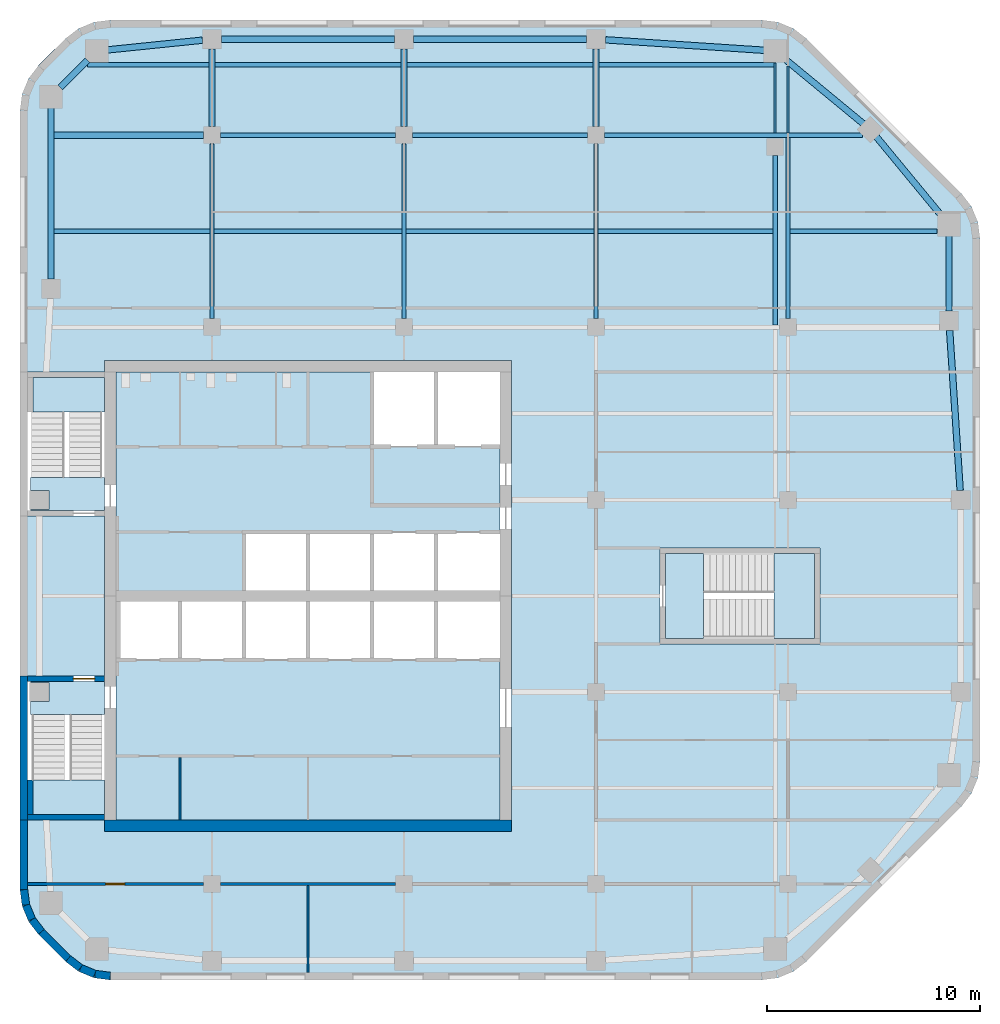
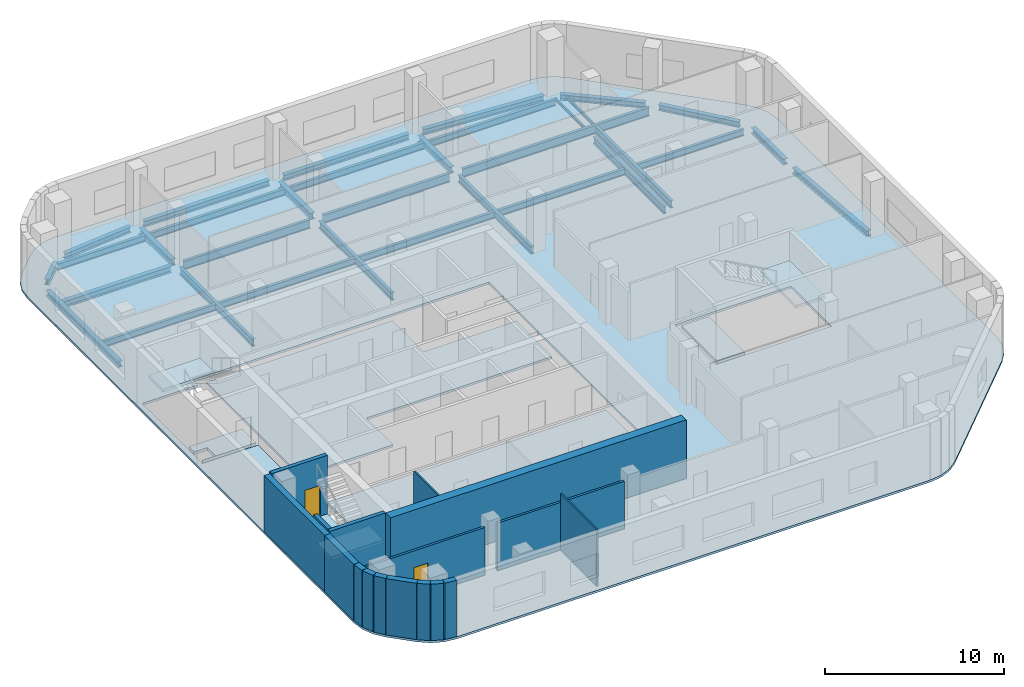
# One storey, part 2 of 8: 33 beams, 17 walls, 9 slabs, 2 doors, 2 openings, 3 elements without a shape of their own.
"""IFC4 building model written with IfcOpenShell, lengths in metres."""

from ifc_helpers import new_model, si_unit, direction, frame, frame_2d, origin, origin_2d, place, context, subcontext, project, spatial, polyline, rectangle, i_section, outline, extrude, material, layer, layer_set, material_profile, profile_set, type_object, element, fill, aggregate, save


model = new_model("IFC4")

# Units and contexts
model_context = context("Model", 3, precision=1e-05, world=origin(), true_north=direction((0.0, 1.0)))
body_context = subcontext(model_context, "Body", "Model", "MODEL_VIEW")
ifc_project = project(units=[si_unit("LENGTHUNIT", "METRE"), si_unit("AREAUNIT", "SQUARE_METRE"), si_unit("VOLUMEUNIT", "CUBIC_METRE"), si_unit("PLANEANGLEUNIT", "RADIAN"), si_unit("MASSUNIT", "GRAM", prefix="KILO")], contexts=[model_context])

# Site, building, storey
site_placement = place(None, origin())
site = spatial("IfcSite", under=ifc_project, at=site_placement, CompositionType="ELEMENT")
building_placement = place(site_placement, origin())
building = spatial("IfcBuilding", under=site, at=building_placement, Name="Cinnabar Reach Civic Tower", CompositionType="ELEMENT")
storey_placement = place(building_placement, frame((0.0, 0.0, 202.0)))
storey = spatial("IfcBuildingStorey", under=building, at=storey_placement, Name="L48", CompositionType="ELEMENT", Elevation=202.0)

# Beams
ifc_material_1 = material(Name="Steel Q355B", Category="steel")
ifc_material_profile_1 = material_profile(ifc_material_1, i_section(OverallWidth=0.3, OverallDepth=0.39, WebThickness=0.01, FlangeThickness=0.016, FilletRadius=0.013, at=origin_2d()), Name="HM390x300x10x16")
ifc_profile_set_1 = profile_set([ifc_material_profile_1], Name="Steel Q355B")
beam_type_1 = type_object("IfcBeamType", Name="HM390x300x10x16 beam R 180", PredefinedType="BEAM", material=ifc_profile_set_1)
beam_1_placement = place(storey_placement, frame((44.0702, 36.452, -0.345), z_axis=(-0.065709484267, 0.997838796438, 0.0), x_axis=(-0.997838796438, -0.065709484267, 0.0)))
element("IfcBeam", 1, at=beam_1_placement, inside=storey, type_object=beam_type_1, Name="Edge beam T1 L48 9", PredefinedType="BEAM", context=body_context, shape_type="SweptSolid", body=[
    extrude(i_section(OverallWidth=0.3, OverallDepth=0.39, WebThickness=0.01, FlangeThickness=0.016, FilletRadius=0.013, at=origin_2d()), origin(), (0.0, 0.0, 1.0), 7.5103),
])
beam_2_placement = place(storey_placement, frame((43.5469, 44.8501, -0.345), z_axis=(0.0, 1.0, 0.0), x_axis=(-1.0, 0.0, 0.0)))
element("IfcBeam", 2, at=beam_2_placement, inside=storey, type_object=beam_type_1, Name="Edge beam T1 L48 10", PredefinedType="BEAM", context=body_context, shape_type="SweptSolid", body=[
    extrude(i_section(OverallWidth=0.3, OverallDepth=0.39, WebThickness=0.01, FlangeThickness=0.016, FilletRadius=0.013, at=origin_2d()), origin(), (0.0, 0.0, 1.0), 3.616),
])
for number, where, z_axis, x_axis, name in (
    (3, (43.1906, 49.3301, -0.345), (-0.63630880182, 0.771434448755, 0.0), (-0.771434448755, -0.63630880182, 0.0), "Edge beam T1 L48 11"),
    (4, (39.5598, 53.6142, -0.345), (-0.771434448755, 0.63630880182, 0.0), (-0.63630880182, -0.771434448755, 0.0), "Edge beam T1 L48 12"),
):
    element("IfcBeam", number, at=place(storey_placement, frame(where, z_axis=z_axis, x_axis=x_axis)), inside=storey, type_object=beam_type_1, Name=name, PredefinedType="BEAM", context=body_context, shape_type="SweptSolid", body=[
        extrude(i_section(OverallWidth=0.3, OverallDepth=0.39, WebThickness=0.01, FlangeThickness=0.016, FilletRadius=0.013, at=origin_2d()), origin(), (0.0, 0.0, 1.0), 4.8348),
    ])
beam_3_placement = place(storey_placement, frame((34.9661, 57.0754, -0.345), z_axis=(-0.99783894477, 0.065707231721, 0.0), x_axis=(-0.065707231721, -0.99783894477, 0.0)))
element("IfcBeam", 5, at=beam_3_placement, inside=storey, type_object=beam_type_1, Name="Edge beam T1 L48 13", PredefinedType="BEAM", context=body_context, shape_type="SweptSolid", body=[
    extrude(i_section(OverallWidth=0.3, OverallDepth=0.39, WebThickness=0.01, FlangeThickness=0.016, FilletRadius=0.013, at=origin_2d()), origin(), (0.0, 0.0, 1.0), 7.5304),
])
for number, where, z_axis, x_axis, name in (
    (6, (26.548, 57.6, -0.345), (-1.0, 0.0, 0.0), (0.0, -1.0, 0.0), "Edge beam T1 L48 14"),
    (7, (17.548, 57.6, -0.345), (-1.0, 0.0, 0.0), (0.0, -1.0, 0.0), "Edge beam T1 L48 15"),
):
    element("IfcBeam", number, at=place(storey_placement, frame(where, z_axis=z_axis, x_axis=x_axis)), inside=storey, type_object=beam_type_1, Name=name, PredefinedType="BEAM", context=body_context, shape_type="SweptSolid", body=[
        extrude(i_section(OverallWidth=0.3, OverallDepth=0.39, WebThickness=0.01, FlangeThickness=0.016, FilletRadius=0.013, at=origin_2d()), origin(), (0.0, 0.0, 1.0), 8.096),
    ])
beam_4_placement = place(storey_placement, frame((8.548, 57.5537, -0.345), z_axis=(-0.994792272495, -0.101923179821, 0.0), x_axis=(0.101923179821, -0.994792272495, 0.0)))
element("IfcBeam", 8, at=beam_4_placement, inside=storey, type_object=beam_type_1, Name="Edge beam T1 L48 16", PredefinedType="BEAM", context=body_context, shape_type="SweptSolid", body=[
    extrude(i_section(OverallWidth=0.3, OverallDepth=0.39, WebThickness=0.01, FlangeThickness=0.016, FilletRadius=0.013, at=origin_2d()), origin(), (0.0, 0.0, 1.0), 4.5377),
])
beam_5_placement = place(storey_placement, frame((3.1699, 56.6149, -0.345), z_axis=(-0.707106781187, -0.707106781187, 0.0), x_axis=(0.707106781187, -0.707106781187, 0.0)))
element("IfcBeam", 9, at=beam_5_placement, inside=storey, type_object=beam_type_1, Name="Edge beam T1 L48 17", PredefinedType="BEAM", context=body_context, shape_type="SweptSolid", body=[
    extrude(i_section(OverallWidth=0.3, OverallDepth=0.39, WebThickness=0.01, FlangeThickness=0.016, FilletRadius=0.013, at=origin_2d()), origin(), (0.0, 0.0, 1.0), 1.817),
])
beam_6_placement = place(storey_placement, frame((1.4531, 54.4661, -0.345), z_axis=(0.0, -1.0, 0.0), x_axis=(1.0, 0.0, 0.0)))
element("IfcBeam", 10, at=beam_6_placement, inside=storey, type_object=beam_type_1, Name="Edge beam T1 L48 18", PredefinedType="BEAM", context=body_context, shape_type="SweptSolid", body=[
    extrude(i_section(OverallWidth=0.3, OverallDepth=0.39, WebThickness=0.01, FlangeThickness=0.016, FilletRadius=0.013, at=origin_2d()), origin(), (0.0, 0.0, 1.0), 8.116),
])
ifc_material_profile_2 = material_profile(ifc_material_1, i_section(OverallWidth=0.3, OverallDepth=0.44, WebThickness=0.011, FlangeThickness=0.018, FilletRadius=0.016, at=origin_2d()), Name="HM440x300x11x18")
ifc_profile_set_2 = profile_set([ifc_material_profile_2], Name="Steel Q355B")
beam_type_2 = type_object("IfcBeamType", Name="HM440x300x11x18 beam R 180", PredefinedType="BEAM", material=ifc_profile_set_2)
beam_7_placement = place(storey_placement, frame((1.6051, 53.1, -0.37), z_axis=(1.0, 0.0, 0.0), x_axis=(0.0, 1.0, 0.0)))
element("IfcBeam", 11, at=beam_7_placement, inside=storey, type_object=beam_type_2, Name="Girder T1 L48 17", PredefinedType="BEAM", context=body_context, shape_type="SweptSolid", body=[
    extrude(i_section(OverallWidth=0.3, OverallDepth=0.44, WebThickness=0.011, FlangeThickness=0.018, FilletRadius=0.016, at=origin_2d()), origin(), (0.0, 0.0, 1.0), 6.9929),
])
for number, where, z_axis, x_axis, name in (
    (12, (9.0, 53.502, -0.37), (0.0, 1.0, 0.0), (-1.0, 0.0, 0.0), "Girder T1 L48 5"),
    (13, (18.0, 53.502, -0.37), (0.0, 1.0, 0.0), (-1.0, 0.0, 0.0), "Girder T1 L48 10"),
    (14, (27.0, 53.502, -0.37), (0.0, 1.0, 0.0), (-1.0, 0.0, 0.0), "Girder T1 L48 16"),
):
    element("IfcBeam", number, at=place(storey_placement, frame(where, z_axis=z_axis, x_axis=x_axis)), inside=storey, type_object=beam_type_2, Name=name, PredefinedType="BEAM", context=body_context, shape_type="SweptSolid", body=[
        extrude(i_section(OverallWidth=0.3, OverallDepth=0.44, WebThickness=0.011, FlangeThickness=0.018, FilletRadius=0.016, at=origin_2d()), origin(), (0.0, 0.0, 1.0), 3.646),
    ])
ifc_material_profile_3 = material_profile(ifc_material_1, i_section(OverallWidth=0.099, OverallDepth=0.198, WebThickness=0.0045, FlangeThickness=0.007, FilletRadius=0.013, at=origin_2d()), Name="HN200x100x5.5x8")
ifc_profile_set_3 = profile_set([ifc_material_profile_3], Name="Steel Q355B")
beam_type_3 = type_object("IfcBeamType", Name="HN200x100x5.5x8 beam R 180", PredefinedType="BEAM", material=ifc_profile_set_3)
beam_8_placement = place(storey_placement, frame((35.3981, 53.2015, -0.249), z_axis=(0.0, 1.0, 0.0), x_axis=(-1.0, 0.0, 0.0)))
element("IfcBeam", 15, at=beam_8_placement, inside=storey, type_object=beam_type_3, Name="Girder T1 L48 23", PredefinedType="BEAM", context=body_context, shape_type="SweptSolid", body=[
    extrude(i_section(OverallWidth=0.099, OverallDepth=0.198, WebThickness=0.0045, FlangeThickness=0.007, FilletRadius=0.013, at=origin_2d()), origin(), (0.0, 0.0, 1.0), 3.2934),
])
beam_9_placement = place(storey_placement, frame((36.0, 53.2015, -0.249), z_axis=(0.0, 1.0, 0.0), x_axis=(-1.0, 0.0, 0.0)))
element("IfcBeam", 16, at=beam_9_placement, inside=storey, type_object=beam_type_3, Name="Girder T1 L48 30", PredefinedType="BEAM", context=body_context, shape_type="SweptSolid", body=[
    extrude(i_section(OverallWidth=0.099, OverallDepth=0.198, WebThickness=0.0045, FlangeThickness=0.007, FilletRadius=0.013, at=origin_2d()), origin(), (0.0, 0.0, 1.0), 3.1519),
])
ifc_material_profile_4 = material_profile(ifc_material_1, i_section(OverallWidth=0.199, OverallDepth=0.446, WebThickness=0.008, FlangeThickness=0.012, FilletRadius=0.016, at=origin_2d()), Name="HN446x199x8x12")
ifc_profile_set_4 = profile_set([ifc_material_profile_4], Name="Steel Q355B")
beam_type_4 = type_object("IfcBeamType", Name="HN446x199x8x12 beam R 180", PredefinedType="BEAM", material=ifc_profile_set_4)
beam_10_placement = place(storey_placement, frame((1.6051, 48.6, -0.373), z_axis=(1.0, 0.0, 0.0), x_axis=(0.0, 1.0, 0.0)))
element("IfcBeam", 17, at=beam_10_placement, inside=storey, type_object=beam_type_4, Name="Secondary beam T1 L48 11", PredefinedType="BEAM", context=body_context, shape_type="SweptSolid", body=[
    extrude(i_section(OverallWidth=0.199, OverallDepth=0.446, WebThickness=0.008, FlangeThickness=0.012, FilletRadius=0.016, at=origin_2d()), origin(), (0.0, 0.0, 1.0), 7.2929),
])
for number, where, z_axis, x_axis, name in (
    (18, (9.102, 48.6, -0.373), (1.0, 0.0, 0.0), (0.0, 1.0, 0.0), "Secondary beam T1 L48 12"),
    (19, (18.102, 48.6, -0.373), (1.0, 0.0, 0.0), (0.0, 1.0, 0.0), "Secondary beam T1 L48 13"),
):
    element("IfcBeam", number, at=place(storey_placement, frame(where, z_axis=z_axis, x_axis=x_axis)), inside=storey, type_object=beam_type_4, Name=name, PredefinedType="BEAM", context=body_context, shape_type="SweptSolid", body=[
        extrude(i_section(OverallWidth=0.199, OverallDepth=0.446, WebThickness=0.008, FlangeThickness=0.012, FilletRadius=0.016, at=origin_2d()), origin(), (0.0, 0.0, 1.0), 8.796),
    ])
beam_11_placement = place(storey_placement, frame((27.102, 48.6, -0.373), z_axis=(1.0, 0.0, 0.0), x_axis=(0.0, 1.0, 0.0)))
element("IfcBeam", 20, at=beam_11_placement, inside=storey, type_object=beam_type_4, Name="Secondary beam T1 L48 14", PredefinedType="BEAM", context=body_context, shape_type="SweptSolid", body=[
    extrude(i_section(OverallWidth=0.199, OverallDepth=0.446, WebThickness=0.008, FlangeThickness=0.012, FilletRadius=0.016, at=origin_2d()), origin(), (0.0, 0.0, 1.0), 8.1941),
])
beam_12_placement = place(storey_placement, frame((36.102, 48.6, -0.373), z_axis=(1.0, 0.0, 0.0), x_axis=(0.0, 1.0, 0.0)))
element("IfcBeam", 21, at=beam_12_placement, inside=storey, type_object=beam_type_4, Name="Secondary beam T1 L48 15", PredefinedType="BEAM", context=body_context, shape_type="SweptSolid", body=[
    extrude(i_section(OverallWidth=0.199, OverallDepth=0.446, WebThickness=0.008, FlangeThickness=0.012, FilletRadius=0.016, at=origin_2d()), origin(), (0.0, 0.0, 1.0), 6.8929),
])
beam_13_placement = place(storey_placement, frame((3.17, 56.4, -0.373), z_axis=(1.0, 0.0, 0.0), x_axis=(0.0, 1.0, 0.0)))
element("IfcBeam", 22, at=beam_13_placement, inside=storey, type_object=beam_type_4, Name="Secondary beam T1 L48 16", PredefinedType="BEAM", context=body_context, shape_type="SweptSolid", body=[
    extrude(i_section(OverallWidth=0.199, OverallDepth=0.446, WebThickness=0.008, FlangeThickness=0.012, FilletRadius=0.016, at=origin_2d()), origin(), (0.0, 0.0, 1.0), 5.678),
])
for number, where, z_axis, x_axis, name in (
    (23, (9.152, 56.4, -0.373), (1.0, 0.0, 0.0), (0.0, 1.0, 0.0), "Secondary beam T1 L48 17"),
    (24, (18.152, 56.4, -0.373), (1.0, 0.0, 0.0), (0.0, 1.0, 0.0), "Secondary beam T1 L48 18"),
):
    element("IfcBeam", number, at=place(storey_placement, frame(where, z_axis=z_axis, x_axis=x_axis)), inside=storey, type_object=beam_type_4, Name=name, PredefinedType="BEAM", context=body_context, shape_type="SweptSolid", body=[
        extrude(i_section(OverallWidth=0.199, OverallDepth=0.446, WebThickness=0.008, FlangeThickness=0.012, FilletRadius=0.016, at=origin_2d()), origin(), (0.0, 0.0, 1.0), 8.696),
    ])
beam_14_placement = place(storey_placement, frame((27.152, 56.4, -0.373), z_axis=(1.0, 0.0, 0.0), x_axis=(0.0, 1.0, 0.0)))
element("IfcBeam", 25, at=beam_14_placement, inside=storey, type_object=beam_type_4, Name="Secondary beam T1 L48 19", PredefinedType="BEAM", context=body_context, shape_type="SweptSolid", body=[
    extrude(i_section(OverallWidth=0.199, OverallDepth=0.446, WebThickness=0.008, FlangeThickness=0.012, FilletRadius=0.016, at=origin_2d()), origin(), (0.0, 0.0, 1.0), 8.1946),
])
ifc_material_profile_5 = material_profile(ifc_material_1, i_section(OverallWidth=0.2, OverallDepth=0.5, WebThickness=0.01, FlangeThickness=0.016, FilletRadius=0.016, at=origin_2d()), Name="HN500x200x10x16")
ifc_profile_set_5 = profile_set([ifc_material_profile_5], Name="Steel Q355B")
beam_type_5 = type_object("IfcBeamType", Name="HN500x200x10x16 beam R 180", PredefinedType="BEAM", material=ifc_profile_set_5)
for number, where, z_axis, x_axis, name in (
    (26, (9.0, 44.502, -0.4), (0.0, 1.0, 0.0), (-1.0, 0.0, 0.0), "Girder T1 L48 4"),
    (27, (18.0, 44.502, -0.4), (0.0, 1.0, 0.0), (-1.0, 0.0, 0.0), "Girder T1 L48 9"),
    (28, (27.0, 44.502, -0.4), (0.0, 1.0, 0.0), (-1.0, 0.0, 0.0), "Girder T1 L48 15"),
):
    element("IfcBeam", number, at=place(storey_placement, frame(where, z_axis=z_axis, x_axis=x_axis)), inside=storey, type_object=beam_type_5, Name=name, PredefinedType="BEAM", context=body_context, shape_type="SweptSolid", body=[
        extrude(i_section(OverallWidth=0.2, OverallDepth=0.5, WebThickness=0.01, FlangeThickness=0.016, FilletRadius=0.016, at=origin_2d()), origin(), (0.0, 0.0, 1.0), 8.196),
    ])
beam_15_placement = place(storey_placement, frame((35.3981, 44.2015, -0.4), z_axis=(0.0, 1.0, 0.0), x_axis=(-1.0, 0.0, 0.0)))
element("IfcBeam", 29, at=beam_15_placement, inside=storey, type_object=beam_type_5, Name="Girder T1 L48 22", PredefinedType="BEAM", context=body_context, shape_type="SweptSolid", body=[
    extrude(i_section(OverallWidth=0.2, OverallDepth=0.5, WebThickness=0.01, FlangeThickness=0.016, FilletRadius=0.016, at=origin_2d()), origin(), (0.0, 0.0, 1.0), 7.9434),
])
beam_16_placement = place(storey_placement, frame((36.0, 44.502, -0.4), z_axis=(0.0, 1.0, 0.0), x_axis=(-1.0, 0.0, 0.0)))
element("IfcBeam", 30, at=beam_16_placement, inside=storey, type_object=beam_type_5, Name="Girder T1 L48 29", PredefinedType="BEAM", context=body_context, shape_type="SweptSolid", body=[
    extrude(i_section(OverallWidth=0.2, OverallDepth=0.5, WebThickness=0.01, FlangeThickness=0.016, FilletRadius=0.016, at=origin_2d()), origin(), (0.0, 0.0, 1.0), 8.4965),
])
ifc_material_profile_6 = material_profile(ifc_material_1, i_section(OverallWidth=0.199, OverallDepth=0.596, WebThickness=0.01, FlangeThickness=0.015, FilletRadius=0.016, at=origin_2d()), Name="HN596x199x10x15")
ifc_profile_set_6 = profile_set([ifc_material_profile_6], Name="Steel Q355B")
beam_type_6 = type_object("IfcBeamType", Name="HN596x199x10x15 beam R 180", PredefinedType="BEAM", material=ifc_profile_set_6)
for number, where, z_axis, x_axis, name in (
    (31, (9.402, 53.1, -0.448), (1.0, 0.0, 0.0), (0.0, 1.0, 0.0), "Girder T1 L48 18"),
    (32, (18.402, 53.1, -0.448), (1.0, 0.0, 0.0), (0.0, 1.0, 0.0), "Girder T1 L48 19"),
):
    element("IfcBeam", number, at=place(storey_placement, frame(where, z_axis=z_axis, x_axis=x_axis)), inside=storey, type_object=beam_type_6, Name=name, PredefinedType="BEAM", context=body_context, shape_type="SweptSolid", body=[
        extrude(i_section(OverallWidth=0.199, OverallDepth=0.596, WebThickness=0.01, FlangeThickness=0.015, FilletRadius=0.016, at=origin_2d()), origin(), (0.0, 0.0, 1.0), 8.196),
    ])
beam_17_placement = place(storey_placement, frame((27.402, 53.1, -0.448), z_axis=(1.0, 0.0, 0.0), x_axis=(0.0, 1.0, 0.0)))
element("IfcBeam", 33, at=beam_17_placement, inside=storey, type_object=beam_type_6, Name="Girder T1 L48 20", PredefinedType="BEAM", context=body_context, shape_type="SweptSolid", body=[
    extrude(i_section(OverallWidth=0.199, OverallDepth=0.596, WebThickness=0.01, FlangeThickness=0.015, FilletRadius=0.016, at=origin_2d()), origin(), (0.0, 0.0, 1.0), 12.086),
])

# Slab
ifc_material_2 = material(Name="Concrete C40", Category="concrete")
ifc_layer_1 = layer(ifc_material_2, 0.15)
ifc_layer_set_1 = layer_set([ifc_layer_1], Name="Composite floor slab 150 REI 150")
slab_type_1 = type_object("IfcSlabType", Name="Composite floor slab 150 REI 150", PredefinedType="FLOOR", material=ifc_layer_set_1)
slab_1_placement = place(storey_placement, frame((0.0, 0.0, -0.15)))
element("IfcSlab", 34, at=slab_1_placement, inside=storey, type_object=slab_type_1, Name="Composite floor slab 150 T1 L48", PredefinedType="FLOOR", context=body_context, shape_type="SweptSolid", body=[
    extrude(outline(polyline([(0.8787, 15.6213), (0.4019, 16.2426), (0.1022, 16.9662), (0.0, 17.7426), (0.0, 54.2574), (0.1022, 55.0338), (0.4019, 55.7574), (0.8787, 56.3787), (2.1213, 57.6213), (2.7426, 58.0981), (3.4662, 58.3978), (4.2426, 58.5), (34.7574, 58.5), (35.5338, 58.3978), (36.2574, 58.0981), (36.8787, 57.6213), (44.1213, 50.3787), (44.5981, 49.7574), (44.8978, 49.0338), (45.0, 48.2574), (45.0, 23.7426), (44.8978, 22.9662), (44.5981, 22.2426), (44.1213, 21.6213), (36.8787, 14.3787), (36.2574, 13.9019), (35.5338, 13.6022), (34.7574, 13.5), (4.2426, 13.5), (3.4662, 13.6022), (2.7426, 13.9019), (2.1213, 14.3787), (0.8787, 15.6213)]), holes=[polyline([(0.36, 21.0), (3.95, 21.0), (3.95, 20.45), (23.05, 20.45), (23.05, 42.55), (3.95, 42.55), (3.95, 42.0), (0.36, 42.0), (0.36, 35.25), (3.95, 35.25), (3.95, 27.75), (0.36, 27.75), (0.36, 21.0)]), polyline([(30.0, 33.75), (30.0, 29.25), (37.5, 29.25), (37.5, 33.75), (30.0, 33.75)])]), origin(), (0.0, 0.0, 1.0), 0.15),
])

# Stair, slabs
ifc_material_3 = material(Name="Concrete C40/50", Category="concrete")
stair_type = type_object("IfcStairType", Name="T1 Exit stair, half-turn", PredefinedType="HALF_TURN_STAIR", material=ifc_material_3)
stair_1_placement = place(storey_placement, origin())
stair_1 = element("IfcStair", 35, at=stair_1_placement, inside=storey, type_object=stair_type, Name="Stair T1-S1", PredefinedType="HALF_TURN_STAIR")
ifc_layer_2 = layer(ifc_material_3, 0.2)
ifc_layer_set_2 = layer_set([ifc_layer_2], Name="T1 Stair landing 200, Concrete C40/50")
slab_type_2 = type_object("IfcSlabType", Name="T1 Stair landing 200, Concrete C40/50", PredefinedType="LANDING", material=ifc_layer_set_2)
slab_2_placement = place(storey_placement, frame((0.0, 0.0, -0.2)))
slab_2 = element("IfcSlab", 36, at=slab_2_placement, type_object=slab_type_2, Name="T1-S1 landing 1", PredefinedType="LANDING", context=body_context, shape_type="SweptSolid", body=[
    extrude(outline(polyline([(0.5, 27.5), (3.95, 27.5), (3.95, 25.95), (0.5, 25.95), (0.5, 26.55), (1.35, 26.55), (1.35, 27.45), (0.5, 27.45), (0.5, 27.5)])), origin(), (0.0, 0.0, 1.0), 0.2),
])
slab_3_placement = place(storey_placement, frame((0.0, 0.0, 1.8)))
slab_3 = element("IfcSlab", 37, at=slab_3_placement, type_object=slab_type_2, Name="T1-S1 landing 2", PredefinedType="LANDING", context=body_context, shape_type="SweptSolid", body=[
    extrude(outline(polyline([(0.6, 21.25), (0.6, 22.87), (3.95, 22.87), (3.95, 21.25), (0.6, 21.25)])), origin(), (0.0, 0.0, 1.0), 0.2),
])
aggregate(stair_1, [slab_2, slab_3])

stair_2_placement = place(storey_placement, origin())
stair_2 = element("IfcStair", 38, at=stair_2_placement, inside=storey, type_object=stair_type, Name="Stair T1-S2", PredefinedType="HALF_TURN_STAIR")
slab_4_placement = place(storey_placement, frame((0.0, 0.0, -0.2)))
slab_4 = element("IfcSlab", 39, at=slab_4_placement, type_object=slab_type_2, Name="T1-S2 landing 1", PredefinedType="LANDING", context=body_context, shape_type="SweptSolid", body=[
    extrude(outline(polyline([(0.5, 37.05), (3.95, 37.05), (3.95, 35.5), (0.5, 35.5), (0.5, 35.55), (1.35, 35.55), (1.35, 36.45), (0.5, 36.45), (0.5, 37.05)])), origin(), (0.0, 0.0, 1.0), 0.2),
])
slab_5_placement = place(storey_placement, frame((0.0, 0.0, 1.8)))
slab_5 = element("IfcSlab", 40, at=slab_5_placement, type_object=slab_type_2, Name="T1-S2 landing 2", PredefinedType="LANDING", context=body_context, shape_type="SweptSolid", body=[
    extrude(outline(polyline([(0.6, 40.13), (0.6, 41.75), (3.95, 41.75), (3.95, 40.13), (0.6, 40.13)])), origin(), (0.0, 0.0, 1.0), 0.2),
])
aggregate(stair_2, [slab_4, slab_5])

stair_3_placement = place(storey_placement, origin())
stair_3 = element("IfcStair", 41, at=stair_3_placement, inside=storey, type_object=stair_type, Name="Stair T1-S3", PredefinedType="HALF_TURN_STAIR")
slab_6_placement = place(storey_placement, frame((0.0, 0.0, -0.2)))
slab_6 = element("IfcSlab", 42, at=slab_6_placement, type_object=slab_type_2, Name="T1-S3 landing 1", PredefinedType="LANDING", context=body_context, shape_type="SweptSolid", body=[
    extrude(outline(polyline([(30.25, 29.5), (32.05, 29.5), (32.05, 33.5), (30.25, 33.5), (30.25, 29.5)])), origin(), (0.0, 0.0, 1.0), 0.2),
])
slab_7_placement = place(storey_placement, frame((0.0, 0.0, 1.8)))
slab_7 = element("IfcSlab", 43, at=slab_7_placement, type_object=slab_type_2, Name="T1-S3 landing 2", PredefinedType="LANDING", context=body_context, shape_type="SweptSolid", body=[
    extrude(outline(polyline([(35.35, 29.5), (37.25, 29.5), (37.25, 33.5), (35.35, 33.5), (35.35, 29.5)])), origin(), (0.0, 0.0, 1.0), 0.2),
])
aggregate(stair_3, [slab_6, slab_7])

# Slabs
ifc_layer_3 = layer(ifc_material_3, 0.15)
ifc_layer_set_3 = layer_set([ifc_layer_3], Name="T1 core floor slab 150")
slab_type_3 = type_object("IfcSlabType", Name="T1 core floor slab 150", PredefinedType="FLOOR", material=ifc_layer_set_3)
slab_8_placement = place(storey_placement, frame((0.0, 0.0, -0.15)))
element("IfcSlab", 44, at=slab_8_placement, inside=storey, type_object=slab_type_3, Name="Core floor slab L48", PredefinedType="FLOOR", context=body_context, shape_type="SweptSolid", body=[
    extrude(outline(polyline([(22.5, 21.0), (4.5, 21.0), (4.5, 28.5), (7.5, 28.5), (10.5, 28.5), (13.5, 28.5), (16.5, 28.5), (19.5, 28.5), (22.5, 28.5), (22.5, 21.0)])), origin(), (0.0, 0.0, 1.0), 0.15),
])
slab_9_placement = place(storey_placement, frame((0.0, 0.0, -0.15)))
element("IfcSlab", 45, at=slab_9_placement, inside=storey, type_object=slab_type_3, Name="Core floor slab L48", PredefinedType="FLOOR", context=body_context, shape_type="SweptSolid", body=[
    extrude(outline(polyline([(22.5, 34.5), (19.5, 34.5), (16.5, 34.5), (13.5, 34.5), (10.5, 34.5), (10.5, 31.5), (7.5, 31.5), (4.5, 31.5), (4.5, 42.0), (16.5, 42.0), (16.5, 38.5), (19.5, 38.5), (22.5, 38.5), (22.5, 34.5)])), origin(), (0.0, 0.0, 1.0), 0.15),
])

# Walls
ifc_material_4 = material(Name="Facing brick with insulated backing", Category="masonry")
ifc_layer_4 = layer(ifc_material_4, 0.36)
ifc_layer_set_4 = layer_set([ifc_layer_4], Name="Brick corner wall")
wall_type_1 = type_object("IfcWallType", Name="Brick corner wall", PredefinedType="STANDARD", material=ifc_layer_set_4)
for number, where, z_axis, x_axis, name in (
    (46, (0.183, 17.7314, 0.0), (0.0, 0.0, 1.0), (0.13055608231, -0.99144092581, 0.0), "Brick corner wall"),
    (47, (0.2819, 17.0027, 0.0), (0.0, 0.0, 1.0), (0.382702709855, -0.923871547278, 0.0), "Brick corner wall"),
):
    element("IfcWall", number, at=place(storey_placement, frame(where, z_axis=z_axis, x_axis=x_axis)), inside=storey, type_object=wall_type_1, Name=name, PredefinedType="STANDARD", context=body_context, shape_type="SweptSolid", body=[
        extrude(rectangle(XDim=0.7131, YDim=0.36, at=frame_2d((0.3565, 0.0))), origin(), (0.0, 0.0, 1.0), 3.85),
    ])
for number, where, z_axis, x_axis, name in (
    (48, (0.566, 16.3245, 0.0), (0.0, 0.0, 1.0), (0.608802368033, -0.793321924995, 0.0), "Brick corner wall"),
    (49, (2.2587, 14.5002, 0.0), (0.0, 0.0, 1.0), (0.793321924995, -0.608802368033, 0.0), "Brick corner wall"),
):
    element("IfcWall", number, at=place(storey_placement, frame(where, z_axis=z_axis, x_axis=x_axis)), inside=storey, type_object=wall_type_1, Name=name, PredefinedType="STANDARD", context=body_context, shape_type="SweptSolid", body=[
        extrude(rectangle(XDim=0.7132, YDim=0.36, at=frame_2d((0.3566, 0.0))), origin(), (0.0, 0.0, 1.0), 3.85),
    ])
for number, where, z_axis, x_axis, name in (
    (50, (2.8439, 14.0548, 0.0), (0.0, 0.0, 1.0), (0.923871547278, -0.382702709855, 0.0), "Brick corner wall"),
    (51, (3.5244, 13.7761, 0.0), (0.0, 0.0, 1.0), (0.99144092581, -0.13055608231, 0.0), "Brick corner wall"),
):
    element("IfcWall", number, at=place(storey_placement, frame(where, z_axis=z_axis, x_axis=x_axis)), inside=storey, type_object=wall_type_1, Name=name, PredefinedType="STANDARD", context=body_context, shape_type="SweptSolid", body=[
        extrude(rectangle(XDim=0.7131, YDim=0.36, at=frame_2d((0.3565, 0.0))), origin(), (0.0, 0.0, 1.0), 3.85),
    ])
ifc_layer_5 = layer(ifc_material_4, 0.36)
ifc_layer_set_5 = layer_set([ifc_layer_5], Name="Brick pier and spandrel wall")
wall_type_2 = type_object("IfcWallType", Name="Brick pier and spandrel wall", PredefinedType="STANDARD", material=ifc_layer_set_5)
wall_1_placement = place(storey_placement, frame((0.18, 27.75, 0.0), z_axis=(0.0, 0.0, 1.0), x_axis=(0.0, -1.0, 0.0)))
element("IfcWall", 52, at=wall_1_placement, inside=storey, type_object=wall_type_2, Name="Brick facade wall", PredefinedType="STANDARD", context=body_context, shape_type="SweptSolid", body=[
    extrude(rectangle(XDim=6.75, YDim=0.36, at=frame_2d((3.375, 0.0))), origin(), (0.0, 0.0, 1.0), 3.85),
])
wall_2_placement = place(storey_placement, frame((0.18, 21.0, 0.0), z_axis=(0.0, 0.0, 1.0), x_axis=(0.0, -1.0, 0.0)))
element("IfcWall", 53, at=wall_2_placement, inside=storey, type_object=wall_type_2, Name="Brick facade wall", PredefinedType="STANDARD", context=body_context, shape_type="SweptSolid", body=[
    extrude(rectangle(XDim=3.2574, YDim=0.36, at=frame_2d((1.6287, 0.0))), origin(), (0.0, 0.0, 1.0), 3.85),
])
wall_3_placement = place(storey_placement, frame((1.006, 15.7486, 0.0), z_axis=(0.0, 0.0, 1.0), x_axis=(0.707106781187, -0.707106781187, 0.0)))
element("IfcWall", 54, at=wall_3_placement, inside=storey, type_object=wall_type_2, Name="Brick facade wall", PredefinedType="STANDARD", context=body_context, shape_type="SweptSolid", body=[
    extrude(rectangle(XDim=1.7573, YDim=0.36, at=frame_2d((0.8787, 0.0))), origin(), (0.0, 0.0, 1.0), 3.85),
])
ifc_material_5 = material(Name="Concrete C60", Category="concrete")
ifc_layer_6 = layer(ifc_material_5, 0.55)
ifc_layer_set_6 = layer_set([ifc_layer_6], Name="Core wall 550 EI 180")
wall_type_3 = type_object("IfcWallType", Name="Core wall 550 EI 180", PredefinedType="SOLIDWALL", material=ifc_layer_set_6)
wall_4_placement = place(storey_placement, frame((3.95, 20.725, 0.0), z_axis=(0.0, 0.0, 1.0), x_axis=(1.0, 0.0, 0.0)))
element("IfcWall", 55, at=wall_4_placement, inside=storey, type_object=wall_type_3, Name="Core wall T1 L48 S", PredefinedType="SOLIDWALL", context=body_context, shape_type="SweptSolid", body=[
    extrude(rectangle(XDim=19.1, YDim=0.55, at=frame_2d((9.55, 0.0))), origin(), (0.0, 0.0, 1.0), 4.0),
])
ifc_material_6 = material(Name="Gypsum board on steel studs, double layer", Category="steel")
ifc_layer_7 = layer(ifc_material_6, 0.15)
ifc_layer_set_7 = layer_set([ifc_layer_7], Name="Corridor wall 150 T1")
wall_type_4 = type_object("IfcWallType", Name="Corridor wall 150 T1", PredefinedType="PARTITIONING", material=ifc_layer_set_7)
wall_5_placement = place(storey_placement, frame((9.4, 18.0, 0.0), z_axis=(0.0, 0.0, 1.0), x_axis=(1.0, 0.0, 0.0)))
element("IfcWall", 56, at=wall_5_placement, inside=storey, type_object=wall_type_4, Name="Corridor wall 22", PredefinedType="PARTITIONING", context=body_context, shape_type="SweptSolid", body=[
    extrude(rectangle(XDim=8.2, YDim=0.15, at=frame_2d((4.1, 0.0))), origin(), (0.0, 0.0, 1.0), 3.254),
])

# Wall, opening, door
wall_6_placement = place(storey_placement, frame((0.36, 18.0, 0.0), z_axis=(0.0, 0.0, 1.0), x_axis=(1.0, 0.0, 0.0)))
wall_6 = element("IfcWall", 57, at=wall_6_placement, inside=storey, type_object=wall_type_4, Name="Corridor wall 23", PredefinedType="PARTITIONING", context=body_context, shape_type="SweptSolid", body=[
    extrude(rectangle(XDim=8.24, YDim=0.15, at=frame_2d((4.12, 0.0))), origin(), (0.0, 0.0, 1.0), 3.254),
])
opening_1_placement = place(wall_6_placement, frame((3.65, 0.0, 0.0)))
opening_1 = element("IfcOpeningElement", 58, at=opening_1_placement, cuts=wall_6, Name="Opening D4983", PredefinedType="OPENING", context=body_context, shape_type="SweptSolid", body=[
    extrude(rectangle(XDim=0.9, YDim=2.1, at=frame_2d((0.45, 1.05))), frame((0.0, 0.085, 0.0), z_axis=(0.0, -1.0, 0.0), x_axis=(1.0, 0.0, 0.0)), (0.0, 0.0, 1.0), 0.17),
])
ifc_material_7 = material(Name="Timber door leaf in steel frame", Category="steel")
door_type_1 = type_object("IfcDoorType", Name="Single swing door 900 x 2100 corridor T1", OperationType="SINGLE_SWING_LEFT", PredefinedType="DOOR", material=ifc_material_7)
door_1_placement = place(opening_1_placement, frame((0.9, 0.0, 0.0), z_axis=(0.0, 0.0, 1.0), x_axis=(-1.0, 0.0, 0.0)))
door_1 = element("IfcDoor", 59, at=door_1_placement, inside=storey, type_object=door_type_1, Name="Door D4983", OperationType="SINGLE_SWING_LEFT", OverallHeight=2.1, OverallWidth=0.9, PredefinedType="DOOR", context=body_context, shape_type="SweptSolid", body=[
    extrude(rectangle(XDim=0.9, YDim=2.1, at=frame_2d((0.45, 1.05))), frame((0.0, 0.025, 0.0), z_axis=(0.0, -1.0, 0.0), x_axis=(1.0, 0.0, 0.0)), (0.0, 0.0, 1.0), 0.05),
])
fill(opening_1, door_1)

# Walls
ifc_material_8 = material(Name="Gypsum board on steel studs", Category="steel")
ifc_layer_8 = layer(ifc_material_8, 0.1)
ifc_layer_set_8 = layer_set([ifc_layer_8], Name="Partition wall 100 T1")
wall_type_5 = type_object("IfcWallType", Name="Partition wall 100 T1", PredefinedType="PARTITIONING", material=ifc_layer_set_8)
wall_7_placement = place(storey_placement, frame((13.5, 13.86, 0.0), z_axis=(0.0, 0.0, 1.0), x_axis=(0.0, 1.0, 0.0)))
element("IfcWall", 60, at=wall_7_placement, inside=storey, type_object=wall_type_5, Name="Partition wall 52", PredefinedType="PARTITIONING", context=body_context, shape_type="SweptSolid", body=[
    extrude(rectangle(XDim=4.065, YDim=0.1, at=frame_2d((2.0325, 0.0))), origin(), (0.0, 0.0, 1.0), 3.85),
])
wall_8_placement = place(storey_placement, frame((7.5, 21.0, 0.0), z_axis=(0.0, 0.0, 1.0), x_axis=(0.0, 1.0, 0.0)))
element("IfcWall", 61, at=wall_8_placement, inside=storey, type_object=wall_type_5, Name="Partition wall 57", PredefinedType="PARTITIONING", context=body_context, shape_type="SweptSolid", body=[
    extrude(rectangle(XDim=2.925, YDim=0.1, at=frame_2d((1.4625, 0.0))), origin(), (0.0, 0.0, 1.0), 3.85),
])
ifc_layer_9 = layer(ifc_material_5, 0.25)
ifc_layer_set_9 = layer_set([ifc_layer_9], Name="Stair shaft wall 250 EI 120")
wall_type_6 = type_object("IfcWallType", Name="Stair shaft wall 250 EI 120", PredefinedType="SOLIDWALL", material=ifc_layer_set_9)
wall_9_placement = place(storey_placement, frame((0.36, 21.125, 0.0), z_axis=(0.0, 0.0, 1.0), x_axis=(1.0, 0.0, 0.0)))
element("IfcWall", 62, at=wall_9_placement, inside=storey, type_object=wall_type_6, Name="Stair shaft wall T1-S1 L48", PredefinedType="SOLIDWALL", context=body_context, shape_type="SweptSolid", body=[
    extrude(rectangle(XDim=3.59, YDim=0.25, at=frame_2d((1.795, 0.0))), origin(), (0.0, 0.0, 1.0), 4.0),
])

# Wall, opening, door
wall_10_placement = place(storey_placement, frame((3.95, 27.625, 0.0), z_axis=(0.0, 0.0, 1.0), x_axis=(-1.0, 0.0, 0.0)))
wall_10 = element("IfcWall", 63, at=wall_10_placement, inside=storey, type_object=wall_type_6, Name="Stair shaft wall T1-S1 L48", PredefinedType="SOLIDWALL", context=body_context, shape_type="SweptSolid", body=[
    extrude(rectangle(XDim=3.59, YDim=0.25, at=frame_2d((1.795, 0.0))), origin(), (0.0, 0.0, 1.0), 4.0),
])
opening_2_placement = place(wall_10_placement, frame((0.45, 0.0, 0.0)))
opening_2 = element("IfcOpeningElement", 64, at=opening_2_placement, cuts=wall_10, Name="Opening D4953", PredefinedType="OPENING", context=body_context, shape_type="SweptSolid", body=[
    extrude(rectangle(XDim=1.0, YDim=2.1, at=frame_2d((0.5, 1.05))), frame((0.0, 0.135, 0.0), z_axis=(0.0, -1.0, 0.0), x_axis=(1.0, 0.0, 0.0)), (0.0, 0.0, 1.0), 0.27),
])
door_type_2 = type_object("IfcDoorType", Name="Stair door 1000 x 2100 T1", OperationType="SINGLE_SWING_LEFT", PredefinedType="DOOR", material=ifc_material_7)
door_2_placement = place(opening_2_placement, origin())
door_2 = element("IfcDoor", 65, at=door_2_placement, inside=storey, type_object=door_type_2, Name="Door D4953", OperationType="SINGLE_SWING_LEFT", OverallHeight=2.1, OverallWidth=1.0, PredefinedType="DOOR", context=body_context, shape_type="SweptSolid", body=[
    extrude(rectangle(XDim=1.0, YDim=2.1, at=frame_2d((0.5, 1.05))), frame((0.0, 0.025, 0.0), z_axis=(0.0, -1.0, 0.0), x_axis=(1.0, 0.0, 0.0)), (0.0, 0.0, 1.0), 0.05),
])
fill(opening_2, door_2)

# Wall
ifc_layer_10 = layer(ifc_material_3, 0.24)
ifc_layer_set_10 = layer_set([ifc_layer_10], Name="T1 landing bearer wall 240")
wall_type_7 = type_object("IfcWallType", Name="T1 landing bearer wall 240", PredefinedType="STANDARD", material=ifc_layer_set_10)
wall_11_placement = place(storey_placement, frame((0.48, 21.25, 0.0), z_axis=(0.0, 0.0, 1.0), x_axis=(0.0, 1.0, 0.0)))
element("IfcWall", 66, at=wall_11_placement, inside=storey, type_object=wall_type_7, Name="T1-S1 landing bearer wall", PredefinedType="STANDARD", context=body_context, shape_type="SweptSolid", body=[
    extrude(rectangle(XDim=1.62, YDim=0.24, at=frame_2d((0.81, 0.0))), origin(), (0.0, 0.0, 1.0), 4.0),
])

save(model, "model.ifc")
